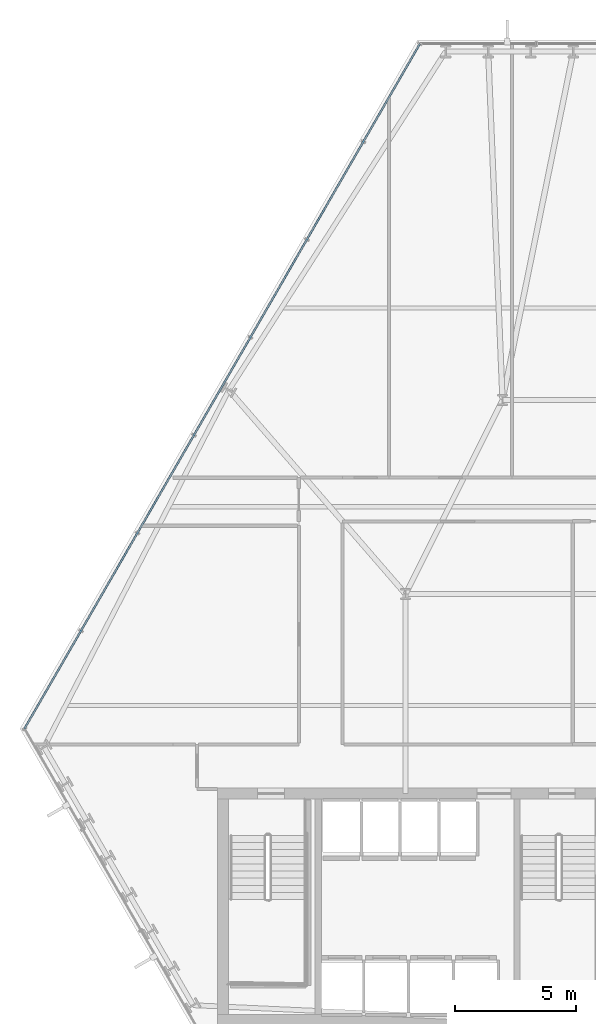
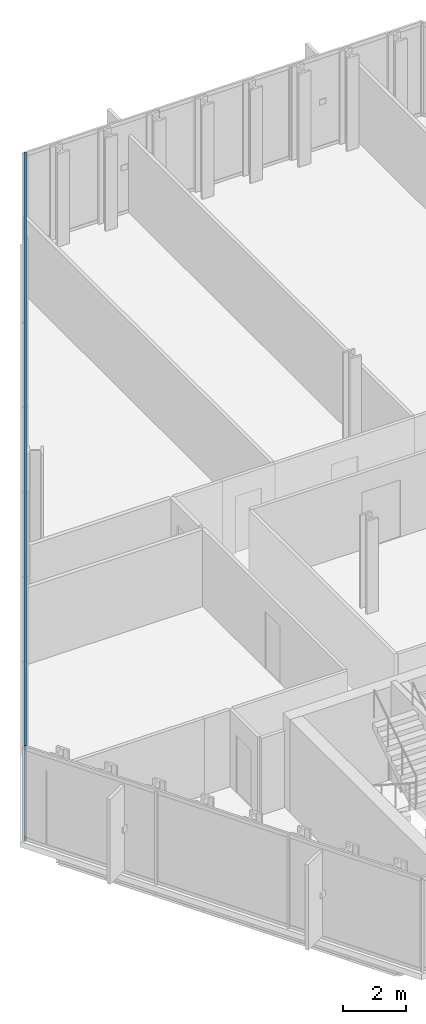
# One storey, part 13 of 33: 2 members, 1 element without a shape of its own.
"""IFC4 building model written with IfcOpenShell, lengths in metres."""

from ifc_helpers import new_model, si_unit, direction, frame, origin, origin_2d, place, context, subcontext, project, spatial, hollow_rectangle, extrude, material, layer, layer_set, material_profile, profile_set, type_object, element, aggregate, save


model = new_model("IFC4")

# Units and contexts
model_context = context("Model", 3, precision=1e-05, world=origin(), true_north=direction((0.0, 1.0)))
body_context = subcontext(model_context, "Body", "Model", "MODEL_VIEW")
ifc_project = project(units=[si_unit("LENGTHUNIT", "METRE"), si_unit("AREAUNIT", "SQUARE_METRE"), si_unit("VOLUMEUNIT", "CUBIC_METRE"), si_unit("PLANEANGLEUNIT", "RADIAN"), si_unit("MASSUNIT", "GRAM", prefix="KILO")], contexts=[model_context])

# Site, building, storey
site_placement = place(None, origin())
site = spatial("IfcSite", under=ifc_project, at=site_placement, CompositionType="ELEMENT")
building_placement = place(site_placement, origin())
building = spatial("IfcBuilding", under=site, at=building_placement, Name="Ndaravel Arena Tower", CompositionType="ELEMENT")
storey_placement = place(building_placement, frame((0.0, 0.0, 85.39990234375)))
storey = spatial("IfcBuildingStorey", under=building, at=storey_placement, Name="L19", CompositionType="ELEMENT", Elevation=85.39990234375)

# Curtain wall, members
ifc_material_1 = material(Name="Aluminium", Category="aluminium")
ifc_layer = layer(ifc_material_1, 0.179931640625)
ifc_layer_set = layer_set([ifc_layer], Name="Aluminium")
curtain_wall_type = type_object("IfcCurtainWallType", Name="CW-SYS-03", PredefinedType="NOTDEFINED", material=ifc_layer_set)
curtain_wall_placement = place(storey_placement, origin())
curtain_wall = element("IfcCurtainWall", 1, at=curtain_wall_placement, inside=storey, type_object=curtain_wall_type, Name="L19 Faceted Crystal Curtain Wall CW-L19-E05", PredefinedType="NOTDEFINED")
ifc_material_2 = material(Name="Aluminium", Category="aluminium")
ifc_material_profile = material_profile(ifc_material_2, hollow_rectangle(XDim=0.074951171875, YDim=0.14990234375, WallThickness=0.00390625, at=origin_2d()), Name="CW TRANSOM 75x150x4")
ifc_profile_set = profile_set([ifc_material_profile], Name="Aluminium")
member_type = type_object("IfcMemberType", Name="MEM-CW-TRN150", PredefinedType="USERDEFINED", material=ifc_profile_set)
member_1_placement = place(storey_placement, frame((34.7900390625, 45.89599609375, 0.0400390625), z_axis=(-0.499995870901, -0.866027787708, 0.0), x_axis=(0.866027787708, -0.499995870901, 0.0)))
member_1 = element("IfcMember", 2, at=member_1_placement, type_object=member_type, Name="CW-L19-E05 Transom 01", ObjectType="TRANSOM", PredefinedType="USERDEFINED", context=body_context, shape_type="SweptSolid", body=[
    extrude(hollow_rectangle(XDim=0.074951171875, YDim=0.14990234375, WallThickness=0.00390625, at=origin_2d()), origin(), (0.0, 0.0, 1.0), 32.617919921875),
])
member_2_placement = place(storey_placement, frame((34.7900390625, 45.89599609375, 3.5400390625), z_axis=(-0.499995870901, -0.866027787708, 0.0), x_axis=(0.866027787708, -0.499995870901, 0.0)))
member_2 = element("IfcMember", 3, at=member_2_placement, type_object=member_type, Name="CW-L19-E05 Transom 02", ObjectType="TRANSOM", PredefinedType="USERDEFINED", context=body_context, shape_type="SweptSolid", body=[
    extrude(hollow_rectangle(XDim=0.074951171875, YDim=0.14990234375, WallThickness=0.00390625, at=origin_2d()), origin(), (0.0, 0.0, 1.0), 32.617919921875),
])
aggregate(curtain_wall, [member_1, member_2])

save(model, "model.ifc")
